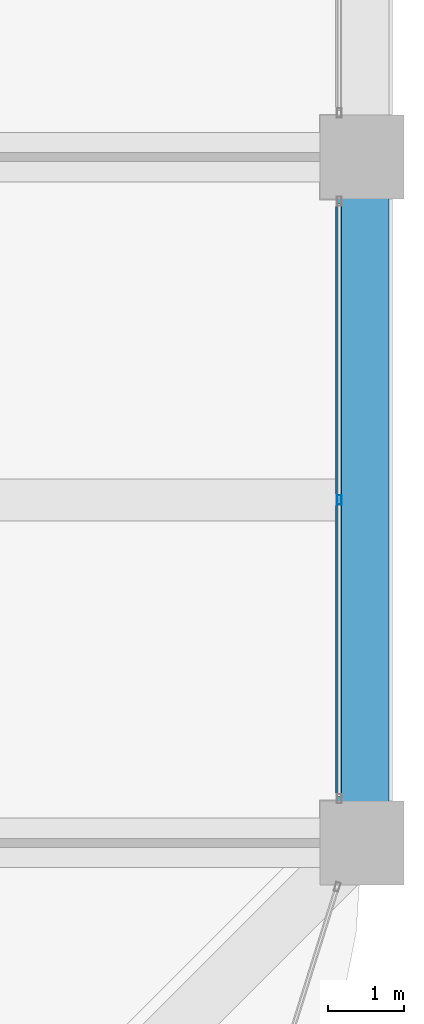
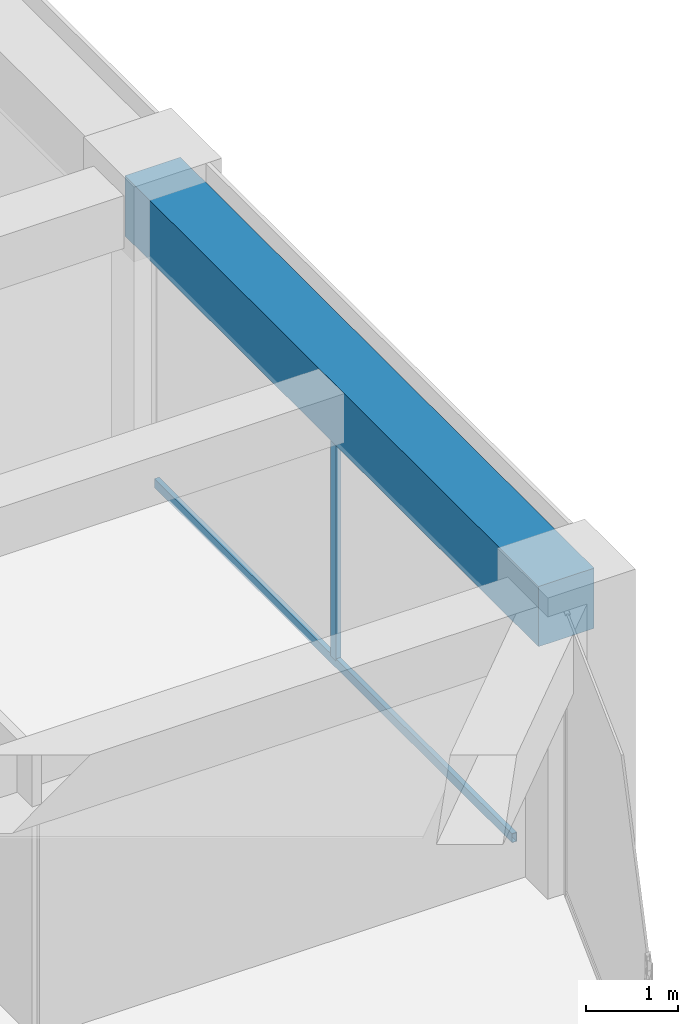
# One storey, part 23 of 44: 2 members, 1 beam, 1 element without a shape of its own.
"""IFC4 building model written with IfcOpenShell, lengths in metres."""

from ifc_helpers import new_model, si_unit, direction, frame, origin, origin_2d, place, context, subcontext, project, spatial, rectangle, hollow_rectangle, extrude, material, material_profile, profile_set, type_object, element, aggregate, save


model = new_model("IFC4")

# Units and contexts
model_context = context("Model", 3, precision=1e-05, world=origin(), true_north=direction((0.0, 1.0)))
body_context = subcontext(model_context, "Body", "Model", "MODEL_VIEW")
ifc_project = project(units=[si_unit("LENGTHUNIT", "METRE"), si_unit("AREAUNIT", "SQUARE_METRE"), si_unit("VOLUMEUNIT", "CUBIC_METRE"), si_unit("PLANEANGLEUNIT", "RADIAN"), si_unit("MASSUNIT", "GRAM", prefix="KILO")], contexts=[model_context])

# Site, building, storey
site_placement = place(None, origin())
site = spatial("IfcSite", under=ifc_project, at=site_placement, CompositionType="ELEMENT")
building_placement = place(site_placement, origin())
building = spatial("IfcBuilding", under=site, at=building_placement, Name="Zorevar Civic Tower", CompositionType="ELEMENT")
storey_placement = place(building_placement, frame((0.0, 0.0, 275.39990234375)))
storey = spatial("IfcBuildingStorey", under=building, at=storey_placement, Name="L67", CompositionType="ELEMENT", Elevation=275.39990234375)

# Curtain wall, members
ifc_material_1 = material(Name="Dark grey solar-control glass in black aluminium frame", Category="aluminium")
curtain_wall_type = type_object("IfcCurtainWallType", Name="Curtain wall CW5 top zone", PredefinedType="NOTDEFINED", material=ifc_material_1)
curtain_wall_placement = place(storey_placement, origin())
curtain_wall = element("IfcCurtainWall", 1, at=curtain_wall_placement, inside=storey, type_object=curtain_wall_type, Name="CW5 L67", PredefinedType="NOTDEFINED")
ifc_material_2 = material(Name="Aluminium, black anodised", Category="aluminium")
ifc_material_profile_1 = material_profile(ifc_material_2, hollow_rectangle(XDim=0.06005859375, YDim=0.1201171875, WallThickness=0.0029296875, at=origin_2d()), Name="AL 120x60x3")
ifc_profile_set_1 = profile_set([ifc_material_profile_1], Name="Aluminium, black anodised")
member_type_1 = type_object("IfcMemberType", Name="CW5 mullion AL 120x60x3", PredefinedType="MULLION", material=ifc_profile_set_1)
member_1_placement = place(storey_placement, frame((53.699951171875, 13.5, 0.06005859375), z_axis=(0.0, 0.0, 1.0), x_axis=(-1.0, 0.0, 0.0)))
member_1 = element("IfcMember", 2, at=member_1_placement, type_object=member_type_1, Name="CW5 mullion 2", PredefinedType="MULLION", context=body_context, shape_type="SweptSolid", body=[
    extrude(hollow_rectangle(XDim=0.06005859375, YDim=0.1201171875, WallThickness=0.0029296875, at=origin_2d()), origin(), (0.0, 0.0, 1.0), 2.89013671875),
])
ifc_material_3 = material(Name="Aluminium, black anodised", Category="aluminium")
ifc_material_profile_2 = material_profile(ifc_material_3, hollow_rectangle(XDim=0.06005859375, YDim=0.1201171875, WallThickness=0.0029296875, at=origin_2d()), Name="AL 120x60x3")
ifc_profile_set_2 = profile_set([ifc_material_profile_2], Name="Aluminium, black anodised")
member_type_2 = type_object("IfcMemberType", Name="CW5 transom AL 120x60x3", PredefinedType="USERDEFINED", material=ifc_profile_set_2)
member_2_placement = place(storey_placement, frame((53.699951171875, 9.610107421875, 0.030029296875), z_axis=(0.0, 1.0, 0.0), x_axis=(-1.0, 0.0, 0.0)))
member_2 = element("IfcMember", 3, at=member_2_placement, type_object=member_type_2, Name="CW5 sill transom", ObjectType="TRANSOM", PredefinedType="USERDEFINED", context=body_context, shape_type="SweptSolid", body=[
    extrude(hollow_rectangle(XDim=0.06005859375, YDim=0.1201171875, WallThickness=0.0029296875, at=origin_2d()), origin(), (0.0, 0.0, 1.0), 7.77978515625),
])
aggregate(curtain_wall, [member_1, member_2])

# Beam
ifc_material_4 = material(Name="Concrete C50/60", Category="concrete")
ifc_material_profile_3 = material_profile(ifc_material_4, rectangle(XDim=0.699951171875, YDim=0.800048828125, at=origin_2d()), Name="RC 700x800")
ifc_profile_set_3 = profile_set([ifc_material_profile_3], Name="Concrete C50/60")
beam_type = type_object("IfcBeamType", Name="Edge beam RC 700x800", PredefinedType="SPANDREL", material=ifc_profile_set_3)
beam_placement = place(storey_placement, frame((54.0, 9.0, 3.35009765625), z_axis=(0.0, 1.0, 0.0), x_axis=(-1.0, 0.0, 0.0)))
element("IfcBeam", 4, at=beam_placement, inside=storey, type_object=beam_type, Name="Edge beam L68", PredefinedType="SPANDREL", context=body_context, shape_type="SweptSolid", body=[
    extrude(rectangle(XDim=0.699951171875, YDim=0.800048828125, at=origin_2d()), origin(), (0.0, 0.0, 1.0), 9.0),
])

save(model, "model.ifc")
